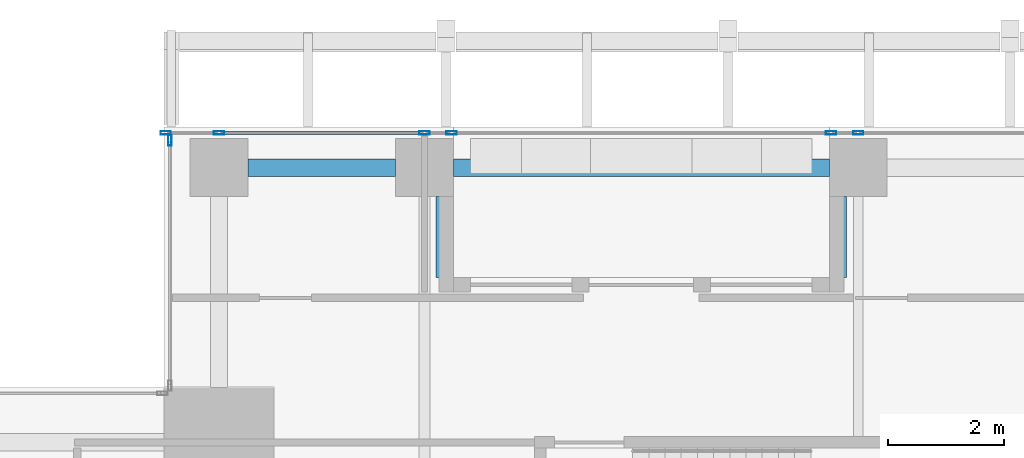
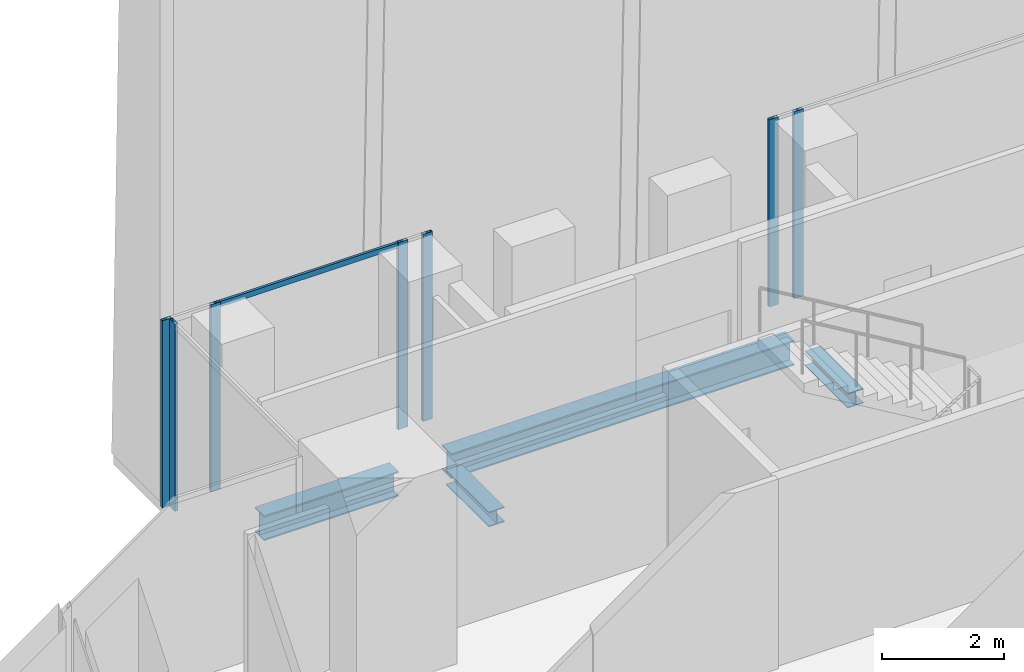
# One storey, part 16 of 35: 8 members, 4 beams, 3 elements without a shape of their own.
"""IFC4 building model written with IfcOpenShell, lengths in metres."""

from ifc_helpers import new_model, si_unit, direction, frame, origin, origin_2d, place, context, subcontext, project, spatial, hollow_rectangle, i_section, extrude, source, transform, mapped, material, material_profile, profile_set, type_object, element, aggregate, save


model = new_model("IFC4")

# Units and contexts
model_context = context("Model", 3, precision=1e-05, world=origin(), true_north=direction((0.0, 1.0)))
body_context = subcontext(model_context, "Body", "Model", "MODEL_VIEW")
ifc_project = project(units=[si_unit("LENGTHUNIT", "METRE"), si_unit("AREAUNIT", "SQUARE_METRE"), si_unit("VOLUMEUNIT", "CUBIC_METRE"), si_unit("PLANEANGLEUNIT", "RADIAN"), si_unit("MASSUNIT", "GRAM", prefix="KILO")], contexts=[model_context])

# Site, building, storey
site_placement = place(None, origin())
site = spatial("IfcSite", under=ifc_project, at=site_placement, CompositionType="ELEMENT")
building_placement = place(site_placement, origin())
building = spatial("IfcBuilding", under=site, at=building_placement, Name="Khomas Fold Tower", CompositionType="ELEMENT")
storey_placement = place(building_placement, frame((0.0, 0.0, 200.699951171875)))
storey = spatial("IfcBuildingStorey", under=building, at=storey_placement, Name="L44", CompositionType="ELEMENT", Elevation=200.699951171875)

# Beams
ifc_material_1 = material(Name="Steel S355", Category="steel")
ifc_material_profile_1 = material_profile(ifc_material_1, i_section(OverallWidth=0.300048828125, OverallDepth=0.5, WebThickness=0.014404296875, FlangeThickness=0.028076171875, at=origin_2d()), Name="HE 500 B")
ifc_profile_set_1 = profile_set([ifc_material_profile_1], Name="Steel S355")
beam_type_1 = type_object("IfcBeamType", Name="HE 500 B spandrel SB3", PredefinedType="SPANDREL", material=ifc_profile_set_1)
shared_shape_1 = source(origin(), body_context, "Body", "SweptSolid", [
    extrude(i_section(OverallWidth=0.300048828125, OverallDepth=0.5, WebThickness=0.014404296875, FlangeThickness=0.028076171875, at=origin_2d()), origin(), (0.0, 0.0, 1.0), 2.550048828125),
])
beam_1_placement = place(storey_placement, frame((8.949951171875, 50.300048828125, -0.5), z_axis=(1.0, 0.0, 0.0), x_axis=(0.0, 1.0, 0.0)))
element("IfcBeam", 1, at=beam_1_placement, inside=storey, type_object=beam_type_1, Name="SB3", PredefinedType="SPANDREL", context=body_context, shape_type="MappedRepresentation", body=[
    mapped(shared_shape_1, transform((0.0, 0.0, 0.0))),
])
shared_shape_2 = source(origin(), body_context, "Body", "SweptSolid", [
    extrude(i_section(OverallWidth=0.300048828125, OverallDepth=0.5, WebThickness=0.014404296875, FlangeThickness=0.028076171875, at=origin_2d()), origin(), (0.0, 0.0, 1.0), 6.5),
])
beam_2_placement = place(storey_placement, frame((12.5, 50.300048828125, -0.5), z_axis=(1.0, 0.0, 0.0), x_axis=(0.0, 1.0, 0.0)))
element("IfcBeam", 2, at=beam_2_placement, inside=storey, type_object=beam_type_1, Name="SB3", PredefinedType="SPANDREL", context=body_context, shape_type="MappedRepresentation", body=[
    mapped(shared_shape_2, transform((0.0, 0.0, 0.0))),
])
ifc_material_2 = material(Name="Steel S355", Category="steel")
ifc_material_profile_2 = material_profile(ifc_material_2, i_section(OverallWidth=0.300048828125, OverallDepth=0.300048828125, WebThickness=0.010986328125, FlangeThickness=0.01904296875, at=origin_2d()), Name="HE 300 B")
ifc_profile_set_2 = profile_set([ifc_material_profile_2], Name="Steel S355")
beam_type_2 = type_object("IfcBeamType", Name="HE 300 B beam BB1", PredefinedType="BEAM", material=ifc_profile_set_2)
shared_shape_3 = source(origin(), body_context, "Body", "SweptSolid", [
    extrude(i_section(OverallWidth=0.300048828125, OverallDepth=0.300048828125, WebThickness=0.010986328125, FlangeThickness=0.01904296875, at=origin_2d()), origin(), (0.0, 0.0, 1.0), 1.400146484375),
])
for number, where, z_axis, x_axis, name in (
    (3, (12.35009765625, 48.39990234375, -0.39990234375), (0.0, 1.0, 0.0), (-1.0, 0.0, 0.0), "BB1"),
    (4, (19.14990234375, 48.39990234375, -0.39990234375), (0.0, 1.0, 0.0), (-1.0, 0.0, 0.0), "BB1"),
):
    element("IfcBeam", number, at=place(storey_placement, frame(where, z_axis=z_axis, x_axis=x_axis)), inside=storey, type_object=beam_type_2, Name=name, PredefinedType="BEAM", context=body_context, shape_type="MappedRepresentation", body=[
        mapped(shared_shape_3, transform((0.0, 0.0, 0.0))),
    ])

# Curtain wall, members
ifc_material_3 = material(Name="Aluminium framed double glazing", Category="aluminium")
curtain_wall_type = type_object("IfcCurtainWallType", Name="SK-Unitised clear-glass wall, office floors CW2", PredefinedType="NOTDEFINED", material=ifc_material_3)
curtain_wall_1_placement = place(storey_placement, origin())
curtain_wall_1 = element("IfcCurtainWall", 5, at=curtain_wall_1_placement, inside=storey, type_object=curtain_wall_type, Name="CW2 run L44 06-0", PredefinedType="NOTDEFINED")
ifc_material_4 = material(Name="Aluminium", Category="aluminium")
ifc_material_profile_3 = material_profile(ifc_material_4, hollow_rectangle(XDim=0.06005859375, YDim=0.179931640625, WallThickness=0.00390625, at=origin_2d()), Name="SK-Unitised clear-glass wall, office floors mullion CW2-M")
ifc_profile_set_3 = profile_set([ifc_material_profile_3], Name="Aluminium")
member_type_1 = type_object("IfcMemberType", Name="SK-Unitised clear-glass wall, office floors mullion CW2-M", PredefinedType="MULLION", material=ifc_profile_set_3)
shared_shape_4 = source(origin(), body_context, "Body", "SweptSolid", [
    extrude(hollow_rectangle(XDim=0.06005859375, YDim=0.179931640625, WallThickness=0.00390625, at=origin_2d()), origin(), (0.0, 0.0, 1.0), 3.75),
])
member_1_placement = place(storey_placement, frame((19.5, 50.89990234375, 0.0), z_axis=(0.0, 0.0, 1.0), x_axis=(0.0, -1.0, 0.0)))
member_1 = element("IfcMember", 6, at=member_1_placement, type_object=member_type_1, Name="CW2 mullion 4", PredefinedType="MULLION", context=body_context, shape_type="MappedRepresentation", body=[
    mapped(shared_shape_4, transform((0.0, 0.0, 0.0))),
])
member_2_placement = place(storey_placement, frame((19.030029296875, 50.89990234375, 0.0), z_axis=(0.0, 0.0, 1.0), x_axis=(0.0, -1.0, 0.0)))
member_2 = element("IfcMember", 7, at=member_2_placement, type_object=member_type_1, Name="CW2 mullion 5", PredefinedType="MULLION", context=body_context, shape_type="MappedRepresentation", body=[
    mapped(shared_shape_4, transform((0.0, 0.0, 0.0))),
])
aggregate(curtain_wall_1, [member_1, member_2])

curtain_wall_2_placement = place(storey_placement, origin())
curtain_wall_2 = element("IfcCurtainWall", 8, at=curtain_wall_2_placement, inside=storey, type_object=curtain_wall_type, Name="CW2 run L44 06-1", PredefinedType="NOTDEFINED")
member_3_placement = place(storey_placement, frame((12.469970703125, 50.89990234375, 0.0), z_axis=(0.0, 0.0, 1.0), x_axis=(0.0, -1.0, 0.0)))
member_3 = element("IfcMember", 9, at=member_3_placement, type_object=member_type_1, Name="CW2 mullion 1", PredefinedType="MULLION", context=body_context, shape_type="MappedRepresentation", body=[
    mapped(shared_shape_4, transform((0.0, 0.0, 0.0))),
])
member_4_placement = place(storey_placement, frame((12.0, 50.89990234375, 0.0), z_axis=(0.0, 0.0, 1.0), x_axis=(0.0, -1.0, 0.0)))
member_4 = element("IfcMember", 10, at=member_4_placement, type_object=member_type_1, Name="CW2 mullion 2", PredefinedType="MULLION", context=body_context, shape_type="MappedRepresentation", body=[
    mapped(shared_shape_4, transform((0.0, 0.0, 0.0))),
])
member_5_placement = place(storey_placement, frame((8.449951171875, 50.89990234375, 0.0), z_axis=(0.0, 0.0, 1.0), x_axis=(0.0, -1.0, 0.0)))
member_5 = element("IfcMember", 11, at=member_5_placement, type_object=member_type_1, Name="CW2 mullion 3", PredefinedType="MULLION", context=body_context, shape_type="MappedRepresentation", body=[
    mapped(shared_shape_4, transform((0.0, 0.0, 0.0))),
])
member_6_placement = place(storey_placement, frame((7.530029296875, 50.89990234375, 0.0), z_axis=(0.0, 0.0, 1.0), x_axis=(0.0, -1.0, 0.0)))
member_6 = element("IfcMember", 12, at=member_6_placement, type_object=member_type_1, Name="CW2 mullion 4", PredefinedType="MULLION", context=body_context, shape_type="MappedRepresentation", body=[
    mapped(shared_shape_4, transform((0.0, 0.0, 0.0))),
])

# Curtain wall, member
curtain_wall_3_placement = place(storey_placement, origin())
curtain_wall_3 = element("IfcCurtainWall", 13, at=curtain_wall_3_placement, inside=storey, type_object=curtain_wall_type, Name="CW2 corner return L44 07", PredefinedType="NOTDEFINED")
member_7_placement = place(storey_placement, frame((7.60009765625, 50.77001953125, 0.0), z_axis=(0.0, 0.0, 1.0), x_axis=(1.0, 0.0, 0.0)))
member_7 = element("IfcMember", 14, at=member_7_placement, type_object=member_type_1, Name="CW2 mullion 1", PredefinedType="MULLION", context=body_context, shape_type="MappedRepresentation", body=[
    mapped(shared_shape_4, transform((0.0, 0.0, 0.0))),
])
aggregate(curtain_wall_3, [member_7])

# Member
ifc_material_5 = material(Name="Aluminium", Category="aluminium")
ifc_material_profile_4 = material_profile(ifc_material_5, hollow_rectangle(XDim=0.050048828125, YDim=0.110107421875, WallThickness=0.00390625, at=origin_2d()), Name="SK-Unitised clear-glass wall, office floors transom CW2-T")
ifc_profile_set_4 = profile_set([ifc_material_profile_4], Name="Aluminium")
member_type_2 = type_object("IfcMemberType", Name="SK-Unitised clear-glass wall, office floors transom CW2-T", PredefinedType="USERDEFINED", material=ifc_profile_set_4)
shared_shape_5 = source(origin(), body_context, "Body", "SweptSolid", [
    extrude(hollow_rectangle(XDim=0.050048828125, YDim=0.110107421875, WallThickness=0.00390625, at=origin_2d()), origin(), (0.0, 0.0, 1.0), 3.489990234375),
])
member_8_placement = place(storey_placement, frame((11.969970703125, 50.89990234375, 3.695068359375), z_axis=(-1.0, 0.0, 0.0), x_axis=(0.0, -1.0, 0.0)))
member_8 = element("IfcMember", 15, at=member_8_placement, type_object=member_type_2, Name="CW2 transom 2", ObjectType="TRANSOM", PredefinedType="USERDEFINED", context=body_context, shape_type="MappedRepresentation", body=[
    mapped(shared_shape_5, transform((0.0, 0.0, 0.0))),
])

aggregate(curtain_wall_2, [member_3, member_4, member_5, member_6, member_8])

save(model, "model.ifc")
